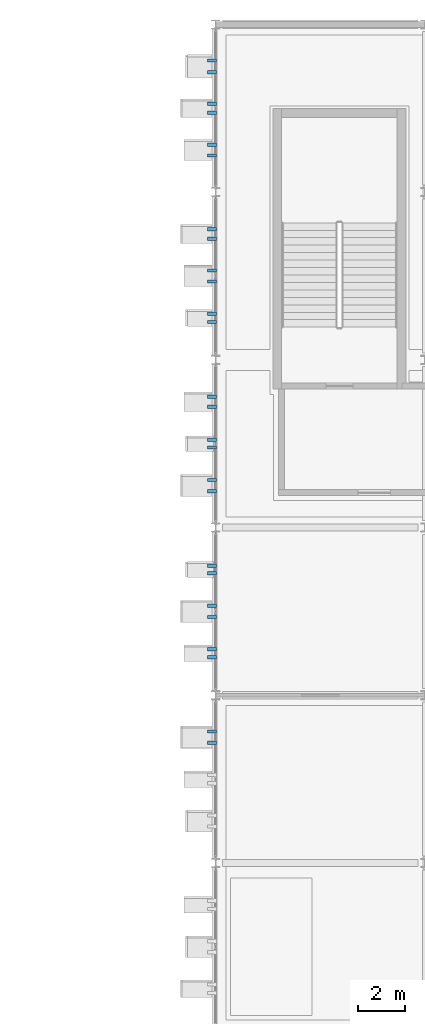
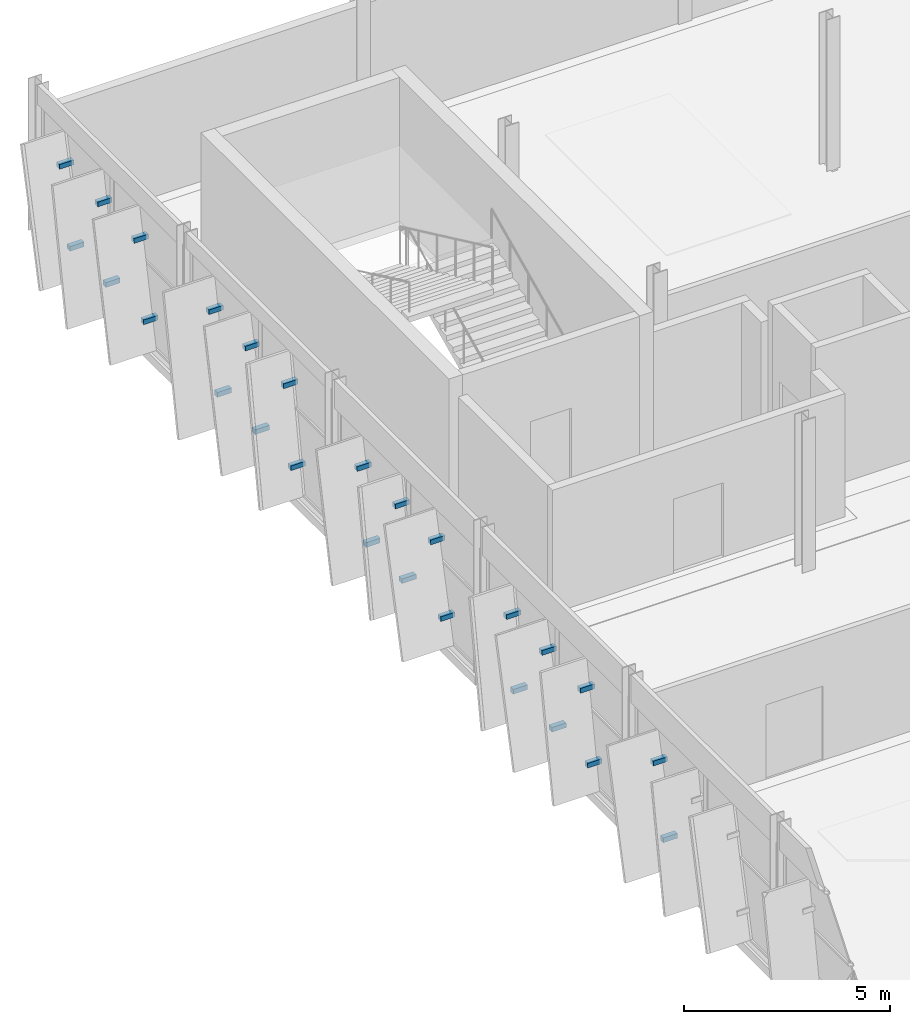
# One storey, part 70 of 78: 26 discrete accessories.
"""IFC4 building model written with IfcOpenShell, lengths in metres."""

from ifc_helpers import new_model, si_unit, direction, frame, origin, origin_2d, place, context, subcontext, project, spatial, rectangle, extrude, material, type_object, element, save


model = new_model("IFC4")

# Units and contexts
model_context = context("Model", 3, precision=1e-05, world=origin(), true_north=direction((0.0, 1.0)))
body_context = subcontext(model_context, "Body", "Model", "MODEL_VIEW")
ifc_project = project(units=[si_unit("LENGTHUNIT", "METRE"), si_unit("AREAUNIT", "SQUARE_METRE"), si_unit("VOLUMEUNIT", "CUBIC_METRE"), si_unit("PLANEANGLEUNIT", "RADIAN"), si_unit("MASSUNIT", "GRAM", prefix="KILO")], contexts=[model_context])

# Site, building, storey
site_placement = place(None, origin())
site = spatial("IfcSite", under=ifc_project, at=site_placement, CompositionType="ELEMENT")
building_placement = place(site_placement, origin())
building = spatial("IfcBuilding", under=site, at=building_placement, Name="Celestram Park Convention Centre", CompositionType="ELEMENT")
storey_placement = place(building_placement, frame((0.0, 0.0, 19.800048828125)))
storey = spatial("IfcBuildingStorey", under=building, at=storey_placement, Name="L04", CompositionType="ELEMENT", Elevation=19.800048828125)

# Discrete accessories
ifc_material = material(Name="Steel ASTM A500 Grade C", Category="steel")
discrete_accessory_type = type_object("IfcDiscreteAccessoryType", Name="ARC-BRK-OUT400", PredefinedType="BRACKET", material=ifc_material)
for number, where, z_axis, x_axis, name in (
    (1, (35.85009765625, 134.757080078125, 0.7646484375), (0.0, 0.0, 1.0), (-1.0, 0.0, 0.0), "Solar fin outrigger bracket BK-L04-1479"),
    (2, (35.85009765625, 135.242919921875, 2.7431640625), (0.0, 0.0, 1.0), (-1.0, 0.0, 0.0), "Solar fin outrigger bracket BK-L04-1480"),
    (3, (35.85009765625, 138.426513671875, 0.75), (0.0, 0.0, 1.0), (-1.0, 0.0, 0.0), "Solar fin outrigger bracket BK-L04-1481"),
    (4, (35.85009765625, 138.7734375, 2.7578125), (0.0, 0.0, 1.0), (-1.0, 0.0, 0.0), "Solar fin outrigger bracket BK-L04-1482"),
    (5, (35.85009765625, 140.156982421875, 0.7646484375), (0.0, 0.0, 1.0), (-1.0, 0.0, 0.0), "Solar fin outrigger bracket BK-L04-1483"),
    (6, (35.85009765625, 140.64306640625, 2.7431640625), (0.0, 0.0, 1.0), (-1.0, 0.0, 0.0), "Solar fin outrigger bracket BK-L04-1484"),
    (7, (35.85009765625, 142.037109375, 0.74853515625), (0.0, 0.0, 1.0), (-1.0, 0.0, 0.0), "Solar fin outrigger bracket BK-L04-1485"),
    (8, (35.85009765625, 142.36279296875, 2.75927734375), (0.0, 0.0, 1.0), (-1.0, 0.0, 0.0), "Solar fin outrigger bracket BK-L04-1486"),
    (9, (35.85009765625, 145.556884765625, 0.7646484375), (0.0, 0.0, 1.0), (-1.0, 0.0, 0.0), "Solar fin outrigger bracket BK-L04-1487"),
    (10, (35.85009765625, 146.04296875, 2.7431640625), (0.0, 0.0, 1.0), (-1.0, 0.0, 0.0), "Solar fin outrigger bracket BK-L04-1488"),
    (11, (35.85009765625, 147.43701171875, 0.74853515625), (0.0, 0.0, 1.0), (-1.0, 0.0, 0.0), "Solar fin outrigger bracket BK-L04-1489"),
    (12, (35.85009765625, 147.762939453125, 2.75927734375), (0.0, 0.0, 1.0), (-1.0, 0.0, 0.0), "Solar fin outrigger bracket BK-L04-1490"),
    (13, (35.85009765625, 149.1865234375, 0.7578125), (0.0, 0.0, 1.0), (-1.0, 0.0, 0.0), "Solar fin outrigger bracket BK-L04-1491"),
    (14, (35.85009765625, 149.613525390625, 2.75), (0.0, 0.0, 1.0), (-1.0, 0.0, 0.0), "Solar fin outrigger bracket BK-L04-1492"),
    (15, (35.85009765625, 152.82080078125, 0.82958984375), (0.0, 0.0, 1.0), (-1.0, 0.0, 0.0), "Solar fin outrigger bracket BK-L04-1493"),
    (16, (35.85009765625, 153.17919921875, 3.04052734375), (0.0, 0.0, 1.0), (-1.0, 0.0, 0.0), "Solar fin outrigger bracket BK-L04-1494"),
    (17, (35.85009765625, 154.565185546875, 0.83984375), (0.0, 0.0, 1.0), (-1.0, 0.0, 0.0), "Solar fin outrigger bracket BK-L04-1495"),
    (18, (35.85009765625, 155.034912109375, 3.0302734375), (0.0, 0.0, 1.0), (-1.0, 0.0, 0.0), "Solar fin outrigger bracket BK-L04-1496"),
    (19, (35.85009765625, 156.397705078125, 0.83349609375), (0.0, 0.0, 1.0), (-1.0, 0.0, 0.0), "Solar fin outrigger bracket BK-L04-1497"),
    (20, (35.85009765625, 156.80224609375, 3.03662109375), (0.0, 0.0, 1.0), (-1.0, 0.0, 0.0), "Solar fin outrigger bracket BK-L04-1498"),
    (21, (35.85009765625, 159.971435546875, 0.81591796875), (0.0, 0.0, 1.0), (-1.0, 0.0, 0.0), "Solar fin outrigger bracket BK-L04-1499"),
    (22, (35.85009765625, 160.4287109375, 2.9482421875), (0.0, 0.0, 1.0), (-1.0, 0.0, 0.0), "Solar fin outrigger bracket BK-L04-1500"),
    (23, (35.85009765625, 161.80322265625, 0.8095703125), (0.0, 0.0, 1.0), (-1.0, 0.0, 0.0), "Solar fin outrigger bracket BK-L04-1501"),
    (24, (35.85009765625, 162.19677734375, 2.95458984375), (0.0, 0.0, 1.0), (-1.0, 0.0, 0.0), "Solar fin outrigger bracket BK-L04-1502"),
    (25, (35.85009765625, 163.54736328125, 0.8212890625), (0.0, 0.0, 1.0), (-1.0, 0.0, 0.0), "Solar fin outrigger bracket BK-L04-1503"),
    (26, (35.85009765625, 164.052734375, 2.9423828125), (0.0, 0.0, 1.0), (-1.0, 0.0, 0.0), "Solar fin outrigger bracket BK-L04-1504"),
):
    element("IfcDiscreteAccessory", number, at=place(storey_placement, frame(where, z_axis=z_axis, x_axis=x_axis)), inside=storey, type_object=discrete_accessory_type, Name=name, PredefinedType="BRACKET", context=body_context, shape_type="SweptSolid", body=[
        extrude(rectangle(XDim=0.39990234375, YDim=0.139892578125, at=origin_2d()), origin(), (0.0, 0.0, 1.0), 0.139892578125),
    ])

save(model, "model.ifc")
